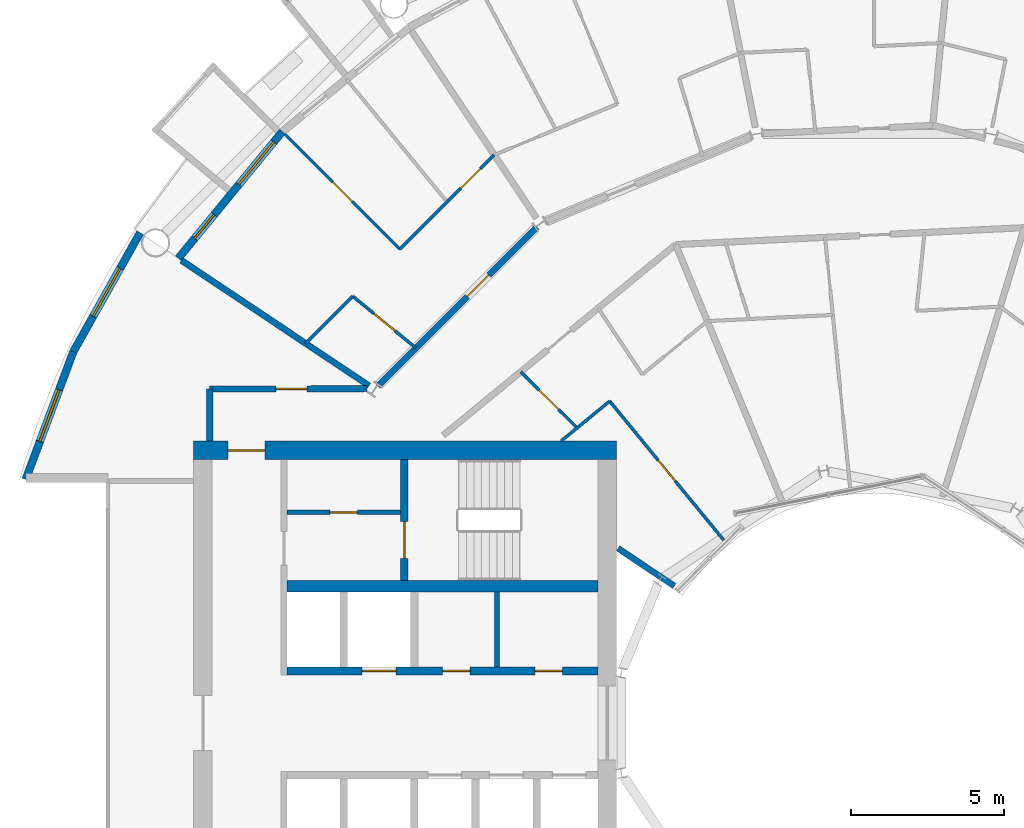
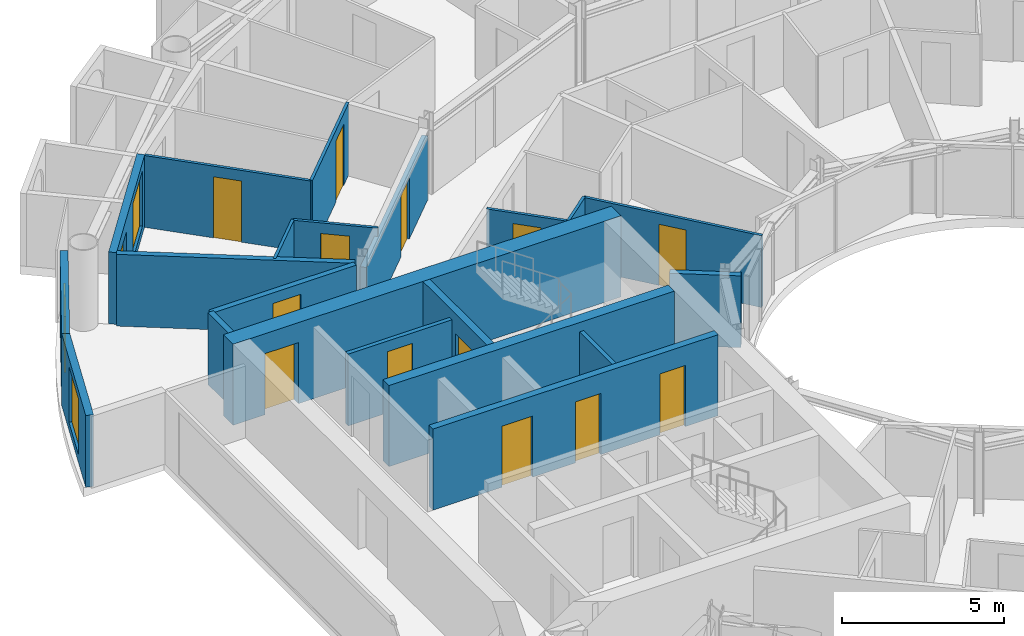
# One storey, part 19 of 27: 21 walls, 14 doors, 3 windows, 17 openings.
"""IFC4 building model written with IfcOpenShell, lengths in metres."""

import ifcopenshell
import ifcopenshell.guid

model = None  # the IFC model being written
_history = None  # IfcOwnerHistory: only IFC2X3 demands one
_inside = {}  # id of a spatial element -> (the spatial element, [elements in it])
_under = {}  # id of a project, library or spatial element -> (it, [spatial elements below it])
_declared = {}  # id of a project -> (the project, [libraries it declares])
_typed = {}  # id of a type object -> (the type object, [elements of that type])
_made_of = {}  # id of a material, layer set ... -> (it, [elements and type objects made of it])


def new_model(schema):
    """Start an empty IFC model of exactly this schema.

    Asked for "IFC4X3", IfcOpenShell would pick the latest addendum, in which some entities
    have other attributes; the version numbers below select the first issue.
    IFC2X3 requires an IfcOwnerHistory on every rooted entity: one is made here for all.
    """
    global model, _history
    if schema == "IFC4X3":
        model = ifcopenshell.file(schema_version=(4, 3, 0, 0))
    else:
        model = ifcopenshell.file(schema=schema)
    _inside.clear()
    _under.clear()
    _declared.clear()
    _typed.clear()
    _made_of.clear()
    _history = None
    if model.schema == "IFC2X3":
        org = make("IfcOrganization", Name="unknown")
        user = make(
            "IfcPersonAndOrganization",
            ThePerson=make("IfcPerson", FamilyName="unknown"),
            TheOrganization=org,
        )
        app = make(
            "IfcApplication",
            ApplicationDeveloper=org,
            Version="unknown",
            ApplicationFullName="unknown",
            ApplicationIdentifier="unknown",
        )
        _history = make(
            "IfcOwnerHistory",
            OwningUser=user,
            OwningApplication=app,
            ChangeAction="ADDED",
            CreationDate=0,
        )
    return model


def make(cls, **values):
    """One entity of the class cls with the attributes given. An attribute that is None is left unset."""
    return model.create_entity(
        cls, **{name: value for name, value in values.items() if value is not None}
    )


def rooted(cls, **values):
    """An entity with a GlobalId (a new one), such as an element, a storey or a relation."""
    return make(cls, GlobalId=ifcopenshell.guid.new(), OwnerHistory=_history, **values)


def si_unit(unit_type, name, prefix=None):
    """IfcSIUnit, for example si_unit("LENGTHUNIT", "METRE", prefix="MILLI")."""
    return make("IfcSIUnit", UnitType=unit_type, Prefix=prefix, Name=name)


def assignment(units):
    """IfcUnitAssignment: the units of a project."""
    return None if units is None else make("IfcUnitAssignment", Units=units)


def point(xyz):
    """IfcCartesianPoint."""
    return None if xyz is None else make("IfcCartesianPoint", Coordinates=xyz)


def direction(xyz):
    """IfcDirection."""
    return None if xyz is None else make("IfcDirection", DirectionRatios=xyz)


def frame(location, z_axis=None, x_axis=None):
    """IfcAxis2Placement3D, a coordinate frame: its origin and axes. An axis left out is left unset."""
    return make(
        "IfcAxis2Placement3D",
        Location=point(location),
        Axis=direction(z_axis),
        RefDirection=direction(x_axis),
    )


def frame_2d(location, x_axis=None):
    """IfcAxis2Placement2D, a coordinate frame in the plane: its origin and x axis."""
    return make(
        "IfcAxis2Placement2D", Location=point(location), RefDirection=direction(x_axis)
    )


def origin():
    """The frame at (0, 0, 0) with its axes left unset."""
    return frame((0.0, 0.0, 0.0))


def place(relative_to, where):
    """IfcLocalPlacement: puts the frame where relative to a parent placement (None: the world)."""
    return make(
        "IfcLocalPlacement", PlacementRelTo=relative_to, RelativePlacement=where
    )


def context(
    kind, dimensions, precision=None, world=None, true_north=None, identifier=None
):
    """IfcGeometricRepresentationContext, for example the 3D "Model" context."""
    return make(
        "IfcGeometricRepresentationContext",
        ContextIdentifier=identifier,
        ContextType=kind,
        CoordinateSpaceDimension=dimensions,
        Precision=precision,
        WorldCoordinateSystem=world,
        TrueNorth=true_north,
    )


def subcontext(parent, identifier, kind, view, scale=None):
    """IfcGeometricRepresentationSubContext, for example "Body" below "Model"."""
    return make(
        "IfcGeometricRepresentationSubContext",
        ContextIdentifier=identifier,
        ContextType=kind,
        ParentContext=parent,
        TargetScale=scale,
        TargetView=view,
    )


def project(units=None, contexts=None):
    """IfcProject with its units and contexts."""
    return rooted(
        "IfcProject",
        Name="project",
        RepresentationContexts=contexts,
        UnitsInContext=assignment(units),
    )


def spatial(cls, under=None, at=None, **own):
    """A site, building, storey or space (cls), placed at a placement, below another one or the project."""
    s = rooted(cls, ObjectPlacement=at, **own)
    if under is not None:
        _under.setdefault(under.id(), (under, []))[1].append(s)
    return s


def profile(cls, at=None, kind="AREA", **sizes):
    """A parametric profile (cls). Its sizes go by their IFC names, for example OverallWidth=200.0."""
    return make(cls, ProfileType=kind, Position=at, **sizes)


def rectangle(**sizes):
    """IfcRectangleProfileDef."""
    return profile("IfcRectangleProfileDef", **sizes)


def extrude(swept, where, along, depth):
    """IfcExtrudedAreaSolid: the profile swept, set in the frame where, extruded along a direction by depth."""
    return make(
        "IfcExtrudedAreaSolid",
        SweptArea=swept,
        Position=where,
        ExtrudedDirection=direction(along),
        Depth=depth,
    )


def shape(context_of_items, identifier, shape_type, items):
    """IfcShapeRepresentation: the items that make up one representation, for example the "Body"."""
    return make(
        "IfcShapeRepresentation",
        ContextOfItems=context_of_items,
        RepresentationIdentifier=identifier,
        RepresentationType=shape_type,
        Items=items,
    )


def material(Name=None, Category=None):
    """IfcMaterial."""
    return make("IfcMaterial", Name=Name, Category=Category)


def layer(
    of_material, thickness, ventilated=None, Name=None, Category=None, Priority=None
):
    """IfcMaterialLayer: one layer of a wall or slab, of a material (None: an air gap)."""
    return make(
        "IfcMaterialLayer",
        Material=of_material,
        LayerThickness=thickness,
        IsVentilated=ventilated,
        Name=Name,
        Category=Category,
        Priority=Priority,
    )


def layer_set(layers, Name=None):
    """IfcMaterialLayerSet."""
    return make("IfcMaterialLayerSet", MaterialLayers=layers, LayerSetName=Name)


def made_of(thing, what):
    """Note that an element or type object is made of a material, layer set ...; save() writes the relation."""
    if what is not None:
        _made_of.setdefault(what.id(), (what, []))[1].append(thing)
    return thing


def type_object(cls, material=None, **own):
    """A type object (cls), such as IfcWallType, which elements share."""
    return made_of(rooted(cls, **own), material)


def element(
    cls,
    number,
    at=None,
    inside=None,
    cuts=None,
    type_object=None,
    material=None,
    context=None,
    identifier="Body",
    shape_type=None,
    held_by="IfcProductDefinitionShape",
    body=None,
    shapes=None,
    **own,
):
    """One element of the class cls, such as IfcWall. Its Tag is "e" and its number.

    at: its placement. inside: the storey or other place that contains it. cuts: it is an
    opening in that element (IfcRelVoidsElement). A single representation is given by context,
    identifier, shape_type and body (its items); several are given by shapes. held_by: the class
    of the entity that holds the representations. save() writes the other relations.
    """
    e = rooted(cls, Tag="e%d" % number, ObjectPlacement=at, **own)
    if body is not None:
        shapes = [shape(context, identifier, shape_type, body)]
    if shapes is not None:
        e.Representation = make(held_by, Representations=shapes)
    if inside is not None:
        _inside.setdefault(inside.id(), (inside, []))[1].append(e)
    if cuts is not None:
        rooted(
            "IfcRelVoidsElement", RelatingBuildingElement=cuts, RelatedOpeningElement=e
        )
    if type_object is not None:
        _typed.setdefault(type_object.id(), (type_object, []))[1].append(e)
    return made_of(e, material)


def fill(opening, filler):
    """IfcRelFillsElement: the door or window that sits in an opening."""
    return rooted(
        "IfcRelFillsElement",
        RelatingOpeningElement=opening,
        RelatedBuildingElement=filler,
    )


def aggregate(whole, parts):
    """IfcRelAggregates: a whole, such as a stair, and the parts it consists of."""
    return rooted("IfcRelAggregates", RelatingObject=whole, RelatedObjects=parts)


def save(model, path):
    """Write the relations noted so far, then the file.

    IfcRelAggregates (storeys below a building ...), IfcRelContainedInSpatialStructure (elements
    in a storey), IfcRelDefinesByType, IfcRelAssociatesMaterial and IfcRelDeclares: one each for
    every whole, place, type object, material and project.
    """
    for whole, parts in _under.values():
        aggregate(whole, parts)
    for where, things in _inside.values():
        rooted(
            "IfcRelContainedInSpatialStructure",
            RelatedElements=things,
            RelatingStructure=where,
        )
    for kind, things in _typed.values():
        rooted("IfcRelDefinesByType", RelatedObjects=things, RelatingType=kind)
    for what, things in _made_of.values():
        rooted("IfcRelAssociatesMaterial", RelatedObjects=things, RelatingMaterial=what)
    for by, libraries in _declared.values():
        rooted("IfcRelDeclares", RelatingContext=by, RelatedDefinitions=libraries)
    model.write(path)


model = new_model("IFC4")

# Units and contexts
model_context = context("Model", 3, precision=1e-05, world=origin(), true_north=direction((0.0, 1.0)))
body_context = subcontext(model_context, "Body", "Model", "MODEL_VIEW")
ifc_project = project(units=[si_unit("LENGTHUNIT", "METRE"), si_unit("AREAUNIT", "SQUARE_METRE"), si_unit("VOLUMEUNIT", "CUBIC_METRE"), si_unit("PLANEANGLEUNIT", "RADIAN"), si_unit("MASSUNIT", "GRAM", prefix="KILO")], contexts=[model_context])

# Site, building, storey
site_placement = place(None, origin())
site = spatial("IfcSite", under=ifc_project, at=site_placement, CompositionType="ELEMENT")
building_placement = place(site_placement, origin())
building = spatial("IfcBuilding", under=site, at=building_placement, Name="Maasbend Ring Residences", CompositionType="ELEMENT")
storey_placement = place(building_placement, frame((0.0, 0.0, 114.699951171875)))
storey = spatial("IfcBuildingStorey", under=building, at=storey_placement, Name="L32", CompositionType="ELEMENT", Elevation=114.699951171875)

# Wall, openings, doors
ifc_material_1 = material(Name="Concrete C60/75", Category="concrete")
ifc_layer_1 = layer(ifc_material_1, 0.25)
ifc_layer_set_1 = layer_set([ifc_layer_1], Name="Concrete C60/75")
wall_type_1 = type_object("IfcWallType", Name="CORE WALL 250 C60/75", PredefinedType="SHEAR", material=ifc_layer_set_1)
wall_1_placement = place(storey_placement, frame((-19.14990234375, 1.699951171875, 0.0), z_axis=(0.0, 0.0, 1.0), x_axis=(1.0, 0.0, 0.0)))
wall_1 = element("IfcWall", 1, at=wall_1_placement, inside=storey, type_object=wall_type_1, Name="L32 core W wall SPS", PredefinedType="SHEAR", context=body_context, shape_type="SweptSolid", body=[
    extrude(rectangle(XDim=10.14990234375, YDim=0.25, at=frame_2d((5.074951171875, 0.0))), origin(), (0.0, 0.0, 1.0), 3.050048828125),
])
opening_1_placement = place(wall_1_placement, frame((2.449951171875, 0.0, 0.0)))
opening_1 = element("IfcOpeningElement", 2, at=opening_1_placement, cuts=wall_1, Name="Opening LD-W3205", PredefinedType="OPENING", context=body_context, shape_type="SweptSolid", body=[
    extrude(rectangle(XDim=1.10009765625, YDim=2.300048828125, at=frame_2d((0.550048828125, 1.14990234375))), frame((0.0, 0.135009765625, 0.0), z_axis=(0.0, -1.0, 0.0), x_axis=(1.0, 0.0, 0.0)), (0.0, 0.0, 1.0), 0.27001953125),
])
opening_2_placement = place(wall_1_placement, frame((8.08740234375, 0.0, 0.0)))
opening_2 = element("IfcOpeningElement", 3, at=opening_2_placement, cuts=wall_1, Name="Opening D-W3206", PredefinedType="OPENING", context=body_context, shape_type="SweptSolid", body=[
    extrude(rectangle(XDim=0.89990234375, YDim=2.300048828125, at=frame_2d((0.449951171875, 1.14990234375))), frame((0.0, 0.135009765625, 0.0), z_axis=(0.0, -1.0, 0.0), x_axis=(1.0, 0.0, 0.0)), (0.0, 0.0, 1.0), 0.27001953125),
])
opening_3_placement = place(wall_1_placement, frame((5.074951171875, 0.0, 0.0)))
opening_3 = element("IfcOpeningElement", 4, at=opening_3_placement, cuts=wall_1, Name="Opening D-W3207", PredefinedType="OPENING", context=body_context, shape_type="SweptSolid", body=[
    extrude(rectangle(XDim=0.89990234375, YDim=2.300048828125, at=frame_2d((0.449951171875, 1.14990234375))), frame((0.0, 0.135009765625, 0.0), z_axis=(0.0, -1.0, 0.0), x_axis=(1.0, 0.0, 0.0)), (0.0, 0.0, 1.0), 0.27001953125),
])
ifc_material_2 = material(Name="Stainless steel 316", Category="steel")
door_type_1 = type_object("IfcDoorType", Name="LANDING DOOR 1100 X 2300 FD60", OperationType="DOUBLE_DOOR_SLIDING", PredefinedType="DOOR", material=ifc_material_2)
door_1_placement = place(opening_1_placement, origin())
door_1 = element("IfcDoor", 5, at=door_1_placement, inside=storey, type_object=door_type_1, Name="Landing door SV-W L32", OperationType="DOUBLE_DOOR_SLIDING", OverallHeight=2.300048828125, OverallWidth=1.10009765625, PredefinedType="DOOR", context=body_context, shape_type="SweptSolid", body=[
    extrude(rectangle(XDim=1.10009765625, YDim=2.300048828125, at=frame_2d((0.550048828125, 1.14990234375))), frame((0.0, 0.02490234375, 0.0), z_axis=(0.0, -1.0, 0.0), x_axis=(1.0, 0.0, 0.0)), (0.0, 0.0, 1.0), 0.050048828125),
])
fill(opening_1, door_1)
ifc_material_3 = material(Name="Steel, powder coated", Category="steel")
door_type_2 = type_object("IfcDoorType", Name="ROOM DOOR 900 X 2300 FD30S", OperationType="NOTDEFINED", PredefinedType="DOOR", material=ifc_material_3)
door_2_placement = place(opening_2_placement, origin())
door_2 = element("IfcDoor", 6, at=door_2_placement, inside=storey, type_object=door_type_2, Name="Room door L32", OperationType="SINGLE_SWING_LEFT", OverallHeight=2.300048828125, OverallWidth=0.89990234375, PredefinedType="DOOR", context=body_context, shape_type="SweptSolid", body=[
    extrude(rectangle(XDim=0.89990234375, YDim=2.300048828125, at=frame_2d((0.449951171875, 1.14990234375))), frame((0.0, 0.02490234375, 0.0), z_axis=(0.0, -1.0, 0.0), x_axis=(1.0, 0.0, 0.0)), (0.0, 0.0, 1.0), 0.050048828125),
])
fill(opening_2, door_2)
door_3_placement = place(opening_3_placement, origin())
door_3 = element("IfcDoor", 7, at=door_3_placement, inside=storey, type_object=door_type_2, Name="Room door L32", OperationType="SINGLE_SWING_LEFT", OverallHeight=2.300048828125, OverallWidth=0.89990234375, PredefinedType="DOOR", context=body_context, shape_type="SweptSolid", body=[
    extrude(rectangle(XDim=0.89990234375, YDim=2.300048828125, at=frame_2d((0.449951171875, 1.14990234375))), frame((0.0, 0.02490234375, 0.0), z_axis=(0.0, -1.0, 0.0), x_axis=(1.0, 0.0, 0.0)), (0.0, 0.0, 1.0), 0.050048828125),
])
fill(opening_3, door_3)

# Wall, opening, door
wall_2_placement = place(storey_placement, frame((-15.324951171875, 8.60009765625, 0.0), z_axis=(0.0, 0.0, 1.0), x_axis=(0.0, -1.0, 0.0)))
wall_2 = element("IfcWall", 8, at=wall_2_placement, inside=storey, type_object=wall_type_1, Name="L32 core W wall STES", PredefinedType="SHEAR", context=body_context, shape_type="SweptSolid", body=[
    extrude(rectangle(XDim=3.9501953125, YDim=0.25, at=frame_2d((1.97509765625, 0.0))), origin(), (0.0, 0.0, 1.0), 3.050048828125),
])
opening_4_placement = place(wall_2_placement, frame((2.02490234375, 0.0, 0.0)))
opening_4 = element("IfcOpeningElement", 9, at=opening_4_placement, cuts=wall_2, Name="Opening D-W3210", PredefinedType="OPENING", context=body_context, shape_type="SweptSolid", body=[
    extrude(rectangle(XDim=1.199951171875, YDim=2.300048828125, at=frame_2d((0.60009765625, 1.14990234375))), frame((0.0, 0.135009765625, 0.0), z_axis=(0.0, -1.0, 0.0), x_axis=(1.0, 0.0, 0.0)), (0.0, 0.0, 1.0), 0.27001953125),
])
ifc_material_4 = material(Name="Steel, powder coated", Category="steel")
door_type_3 = type_object("IfcDoorType", Name="STAIR DOOR 1200 X 2300 FD60", OperationType="NOTDEFINED", PredefinedType="DOOR", material=ifc_material_4)
door_4_placement = place(opening_4_placement, origin())
door_4 = element("IfcDoor", 10, at=door_4_placement, inside=storey, type_object=door_type_3, Name="Stair door ST-W L32", OperationType="SINGLE_SWING_LEFT", OverallHeight=2.300048828125, OverallWidth=1.199951171875, PredefinedType="DOOR", context=body_context, shape_type="SweptSolid", body=[
    extrude(rectangle(XDim=1.199951171875, YDim=2.300048828125, at=frame_2d((0.60009765625, 1.14990234375))), frame((0.0, 0.02490234375, 0.0), z_axis=(0.0, -1.0, 0.0), x_axis=(1.0, 0.0, 0.0)), (0.0, 0.0, 1.0), 0.050048828125),
])
fill(opening_4, door_4)

# Wall
ifc_material_5 = material(Name="Concrete C60/75", Category="concrete")
ifc_layer_2 = layer(ifc_material_5, 0.375)
ifc_layer_set_2 = layer_set([ifc_layer_2], Name="Concrete C60/75")
wall_type_2 = type_object("IfcWallType", Name="CORE WALL 375 C60/75", PredefinedType="SHEAR", material=ifc_layer_set_2)
wall_3_placement = place(storey_placement, frame((-9.0, 4.46240234375, 0.0), z_axis=(0.0, 0.0, 1.0), x_axis=(-1.0, 0.0, 0.0)))
element("IfcWall", 11, at=wall_3_placement, inside=storey, type_object=wall_type_2, Name="L32 core W wall BS", PredefinedType="SHEAR", context=body_context, shape_type="SweptSolid", body=[
    extrude(rectangle(XDim=10.14990234375, YDim=0.375, at=frame_2d((5.074951171875, 0.0))), origin(), (0.0, 0.0, 1.0), 3.050048828125),
])

# Wall, opening, door
ifc_material_6 = material(Name="Concrete C60/75", Category="concrete")
ifc_layer_3 = layer(ifc_material_6, 0.60009765625)
ifc_layer_set_3 = layer_set([ifc_layer_3], Name="Concrete C60/75")
wall_type_3 = type_object("IfcWallType", Name="CORE WALL 600 C60/75", PredefinedType="SHEAR", material=ifc_layer_set_3)
wall_4_placement = place(storey_placement, frame((-8.39990234375, 8.89990234375, 0.0), z_axis=(0.0, 0.0, 1.0), x_axis=(-1.0, 0.0, 0.0)))
wall_4 = element("IfcWall", 12, at=wall_4_placement, inside=storey, type_object=wall_type_3, Name="L32 core W wall PS", PredefinedType="SHEAR", context=body_context, shape_type="SweptSolid", body=[
    extrude(rectangle(XDim=13.800048828125, YDim=0.60009765625, at=frame_2d((6.89990234375, 0.0))), origin(), (0.0, 0.0, 1.0), 3.050048828125),
])
opening_5_placement = place(wall_4_placement, frame((11.47509765625, 0.0, 0.0)))
opening_5 = element("IfcOpeningElement", 13, at=opening_5_placement, cuts=wall_4, Name="Opening D-W3214", PredefinedType="OPENING", context=body_context, shape_type="SweptSolid", body=[
    extrude(rectangle(XDim=1.199951171875, YDim=2.300048828125, at=frame_2d((0.60009765625, 1.14990234375))), frame((0.0, 0.31005859375, 0.0), z_axis=(0.0, -1.0, 0.0), x_axis=(1.0, 0.0, 0.0)), (0.0, 0.0, 1.0), 0.6201171875),
])
ifc_material_7 = material(Name="Steel, powder coated", Category="steel")
door_type_4 = type_object("IfcDoorType", Name="CORRIDOR DOOR 1200 X 2300 FD30S", OperationType="NOTDEFINED", PredefinedType="DOOR", material=ifc_material_7)
door_5_placement = place(opening_5_placement, origin())
door_5 = element("IfcDoor", 14, at=door_5_placement, inside=storey, type_object=door_type_4, Name="Corridor door L32", OperationType="SINGLE_SWING_LEFT", OverallHeight=2.300048828125, OverallWidth=1.199951171875, PredefinedType="DOOR", context=body_context, shape_type="SweptSolid", body=[
    extrude(rectangle(XDim=1.199951171875, YDim=2.300048828125, at=frame_2d((0.60009765625, 1.14990234375))), frame((0.0, 0.02490234375, 0.0), z_axis=(0.0, -1.0, 0.0), x_axis=(1.0, 0.0, 0.0)), (0.0, 0.0, 1.0), 0.050048828125),
])
fill(opening_5, door_5)

ifc_material_8 = material(Name="Concrete C30/37", Category="concrete")
ifc_layer_4 = layer(ifc_material_8, 0.199951171875)
ifc_layer_set_4 = layer_set([ifc_layer_4], Name="Concrete C30/37")
wall_type_4 = type_object("IfcWallType", Name="CORRIDOR WALL 200 CONCRETE", PredefinedType="PARTITIONING", material=ifc_layer_set_4)
wall_5_placement = place(storey_placement, frame((-21.675048828125, 10.89990234375, 0.0), z_axis=(0.0, 0.0, 1.0), x_axis=(0.999997173357, 0.002377662213, 0.0)))
wall_5 = element("IfcWall", 15, at=wall_5_placement, inside=storey, type_object=wall_type_4, Name="U-L32-w088", PredefinedType="PARTITIONING", context=body_context, shape_type="SweptSolid", body=[
    extrude(rectangle(XDim=5.134033203125, YDim=0.199951171875, at=frame_2d((2.56689453125, 0.0))), origin(), (0.0, 0.0, 1.0), 2.699951171875),
])
opening_6_placement = place(wall_5_placement, frame((2.1708984375, 0.0, 0.0)))
opening_6 = element("IfcOpeningElement", 16, at=opening_6_placement, cuts=wall_5, Name="Opening D-3268", PredefinedType="OPENING", context=body_context, shape_type="SweptSolid", body=[
    extrude(rectangle(XDim=1.0, YDim=2.300048828125, at=frame_2d((0.5, 1.14990234375))), frame((0.0, 0.10986328125, 0.0), z_axis=(0.0, -1.0, 0.0), x_axis=(1.0, 0.0, 0.0)), (0.0, 0.0, 1.0), 0.219970703125),
])
ifc_material_9 = material(Name="Timber, painted", Category="wood")
door_type_5 = type_object("IfcDoorType", Name="ROOM DOOR 1000 X 2300", OperationType="NOTDEFINED", PredefinedType="DOOR", material=ifc_material_9)
door_6_placement = place(opening_6_placement, origin())
door_6 = element("IfcDoor", 17, at=door_6_placement, inside=storey, type_object=door_type_5, Name="D-3268", OperationType="SINGLE_SWING_RIGHT", OverallHeight=2.300048828125, OverallWidth=1.0, PredefinedType="DOOR", context=body_context, shape_type="SweptSolid", body=[
    extrude(rectangle(XDim=1.0, YDim=2.300048828125, at=frame_2d((0.5, 1.14990234375))), frame((0.0, 0.02490234375, 0.0), z_axis=(0.0, -1.0, 0.0), x_axis=(1.0, 0.0, 0.0)), (0.0, 0.0, 1.0), 0.050048828125),
])
fill(opening_6, door_6)

wall_6_placement = place(storey_placement, frame((-16.18603515625, 11.0, 0.0), z_axis=(0.0, 0.0, 1.0), x_axis=(0.707106781187, 0.707106781187, 0.0)))
wall_6 = element("IfcWall", 18, at=wall_6_placement, inside=storey, type_object=wall_type_4, Name="U-L32-w100", PredefinedType="PARTITIONING", context=body_context, shape_type="SweptSolid", body=[
    extrude(rectangle(XDim=7.334228515625, YDim=0.199951171875, at=frame_2d((3.6669921875, 0.0))), origin(), (0.0, 0.0, 1.0), 2.39013671875),
])
opening_7_placement = place(wall_6_placement, frame((4.123046875, 0.0, 0.0)))
opening_7 = element("IfcOpeningElement", 19, at=opening_7_placement, cuts=wall_6, Name="Opening D-3217", PredefinedType="OPENING", context=body_context, shape_type="SweptSolid", body=[
    extrude(rectangle(XDim=1.0, YDim=2.300048828125, at=frame_2d((0.5, 1.14990234375))), frame((0.0, 0.10986328125, 0.0), z_axis=(0.0, -1.0, 0.0), x_axis=(1.0, 0.0, 0.0)), (0.0, 0.0, 1.0), 0.219970703125),
])
ifc_material_10 = material(Name="Timber, fire-rated, painted", Category="wood")
door_type_6 = type_object("IfcDoorType", Name="FLAT ENTRANCE DOOR 1000 X 2300 FIRE-RATED", OperationType="NOTDEFINED", PredefinedType="DOOR", material=ifc_material_10)
door_7_placement = place(opening_7_placement, origin())
door_7 = element("IfcDoor", 20, at=door_7_placement, inside=storey, type_object=door_type_6, Name="D-3217", OperationType="SINGLE_SWING_RIGHT", OverallHeight=2.300048828125, OverallWidth=1.0, PredefinedType="DOOR", context=body_context, shape_type="SweptSolid", body=[
    extrude(rectangle(XDim=1.0, YDim=2.300048828125, at=frame_2d((0.5, 1.14990234375))), frame((0.0, 0.02490234375, 0.0), z_axis=(0.0, -1.0, 0.0), x_axis=(1.0, 0.0, 0.0)), (0.0, 0.0, 1.0), 0.050048828125),
])
fill(opening_7, door_7)

# Wall
wall_7_placement = place(storey_placement, frame((-21.675048828125, 9.199951171875, 0.0), z_axis=(0.0, 0.0, 1.0), x_axis=(0.0, 1.0, 0.0)))
element("IfcWall", 21, at=wall_7_placement, inside=storey, type_object=wall_type_4, Name="U-L32-w108", PredefinedType="PARTITIONING", context=body_context, shape_type="SweptSolid", body=[
    extrude(rectangle(XDim=1.699951171875, YDim=0.199951171875, at=frame_2d((0.85009765625, 0.0))), origin(), (0.0, 0.0, 1.0), 2.699951171875),
])

# Wall, openings, door, window
ifc_material_11 = material(Name="Aluminium clad insulated panel", Category="aluminium")
ifc_layer_5 = layer(ifc_material_11, 0.25)
ifc_layer_set_5 = layer_set([ifc_layer_5], Name="EW-GL")
wall_type_5 = type_object("IfcWallType", Name="EW-GL", PredefinedType="SOLIDWALL", material=ifc_layer_set_5)
wall_8_placement = place(storey_placement, frame((-19.303955078125, 19.303955078125, 0.0), z_axis=(0.0, 0.0, 1.0), x_axis=(-0.634382322723, -0.773019449054, 0.0)))
wall_8 = element("IfcWall", 22, at=wall_8_placement, inside=storey, type_object=wall_type_5, Name="External wall N10", PredefinedType="SOLIDWALL", context=body_context, shape_type="SweptSolid", body=[
    extrude(rectangle(XDim=5.351806640625, YDim=0.25, at=frame_2d((2.67578125, 0.0))), origin(), (0.0, 0.0, 1.0), 2.699951171875),
])
opening_8_placement = place(wall_8_placement, frame((0.441162109375, 0.0, 0.300048828125)))
opening_8 = element("IfcOpeningElement", 23, at=opening_8_placement, cuts=wall_8, Name="Opening W-BX", PredefinedType="OPENING", context=body_context, shape_type="SweptSolid", body=[
    extrude(rectangle(XDim=1.800048828125, YDim=2.10009765625, at=frame_2d((0.89990234375, 1.050048828125))), frame((0.0, 0.135009765625, 0.0), z_axis=(0.0, -1.0, 0.0), x_axis=(1.0, 0.0, 0.0)), (0.0, 0.0, 1.0), 0.27001953125),
])
opening_9_placement = place(wall_8_placement, frame((3.510498046875, 0.0, 0.0)))
opening_9 = element("IfcOpeningElement", 24, at=opening_9_placement, cuts=wall_8, Name="Opening D-LG", PredefinedType="OPENING", context=body_context, shape_type="SweptSolid", body=[
    extrude(rectangle(XDim=1.0, YDim=2.199951171875, at=frame_2d((0.5, 1.10009765625))), frame((0.0, 0.135009765625, 0.0), z_axis=(0.0, -1.0, 0.0), x_axis=(1.0, 0.0, 0.0)), (0.0, 0.0, 1.0), 0.27001953125),
])
ifc_material_12 = material(Name="Aluminium and clear glass", Category="aluminium")
door_type_7 = type_object("IfcDoorType", Name="D-LG", OperationType="SINGLE_SWING_LEFT", PredefinedType="DOOR", material=ifc_material_12)
door_8_placement = place(opening_9_placement, origin())
door_8 = element("IfcDoor", 25, at=door_8_placement, inside=storey, type_object=door_type_7, Name="Loggia door N20", OperationType="SINGLE_SWING_LEFT", OverallHeight=2.199951171875, OverallWidth=1.0, PredefinedType="DOOR", context=body_context, shape_type="SweptSolid", body=[
    extrude(rectangle(XDim=1.0, YDim=2.199951171875, at=frame_2d((0.5, 1.10009765625))), frame((0.0, 0.02490234375, 0.0), z_axis=(0.0, -1.0, 0.0), x_axis=(1.0, 0.0, 0.0)), (0.0, 0.0, 1.0), 0.050048828125),
])
fill(opening_9, door_8)
ifc_material_13 = material(Name="Aluminium and clear glass", Category="aluminium")
window_type = type_object("IfcWindowType", Name="W-BX", PartitioningType="DOUBLE_PANEL_VERTICAL", PredefinedType="WINDOW", material=ifc_material_13)
window_1_placement = place(opening_8_placement, origin())
window_1 = element("IfcWindow", 26, at=window_1_placement, inside=storey, type_object=window_type, Name="Window N19 room to box", OverallHeight=2.10009765625, OverallWidth=1.800048828125, PartitioningType="SINGLE_PANEL", PredefinedType="WINDOW", context=body_context, shape_type="SweptSolid", body=[
    extrude(rectangle(XDim=1.800048828125, YDim=2.10009765625, at=frame_2d((0.89990234375, 1.050048828125))), frame((0.0, 0.030029296875, 0.0), z_axis=(0.0, -1.0, 0.0), x_axis=(1.0, 0.0, 0.0)), (0.0, 0.0, 1.0), 0.06005859375),
])
fill(opening_8, window_1)

# Wall, opening, window
ifc_material_14 = material(Name="Aluminium clad insulated panel", Category="aluminium")
ifc_layer_6 = layer(ifc_material_14, 0.25)
ifc_layer_set_6 = layer_set([ifc_layer_6], Name="EW-HORN")
wall_type_6 = type_object("IfcWallType", Name="EW-HORN", PredefinedType="SOLIDWALL", material=ifc_layer_set_6)
wall_9_placement = place(storey_placement, frame((-23.946044921875, 16.0, 0.0), z_axis=(0.0, 0.0, 1.0), x_axis=(-0.489696356642, -0.871893042919, 0.0)))
wall_9 = element("IfcWall", 27, at=wall_9_placement, inside=storey, type_object=wall_type_6, Name="Horn wall 4.1", PredefinedType="SOLIDWALL", context=body_context, shape_type="SweptSolid", body=[
    extrude(rectangle(XDim=4.45361328125, YDim=0.25, at=frame_2d((2.226806640625, 0.0))), origin(), (0.0, 0.0, 1.0), 2.699951171875),
])
opening_10_placement = place(wall_9_placement, frame((1.32666015625, 0.0, 0.300048828125)))
opening_10 = element("IfcOpeningElement", 28, at=opening_10_placement, cuts=wall_9, Name="Opening W-BX", PredefinedType="OPENING", context=body_context, shape_type="SweptSolid", body=[
    extrude(rectangle(XDim=1.800048828125, YDim=2.10009765625, at=frame_2d((0.89990234375, 1.050048828125))), frame((0.0, 0.135009765625, 0.0), z_axis=(0.0, -1.0, 0.0), x_axis=(1.0, 0.0, 0.0)), (0.0, 0.0, 1.0), 0.27001953125),
])
window_2_placement = place(opening_10_placement, origin())
window_2 = element("IfcWindow", 29, at=window_2_placement, inside=storey, type_object=window_type, Name="Horn window 4.1", OverallHeight=2.10009765625, OverallWidth=1.800048828125, PartitioningType="SINGLE_PANEL", PredefinedType="WINDOW", context=body_context, shape_type="SweptSolid", body=[
    extrude(rectangle(XDim=1.800048828125, YDim=2.10009765625, at=frame_2d((0.89990234375, 1.050048828125))), frame((0.0, 0.030029296875, 0.0), z_axis=(0.0, -1.0, 0.0), x_axis=(1.0, 0.0, 0.0)), (0.0, 0.0, 1.0), 0.06005859375),
])
fill(opening_10, window_2)

wall_10_placement = place(storey_placement, frame((-26.126953125, 12.116943359375, 0.0), z_axis=(0.0, 0.0, 1.0), x_axis=(-0.349247811493, -0.937030397675, 0.0)))
wall_10 = element("IfcWall", 30, at=wall_10_placement, inside=storey, type_object=wall_type_6, Name="Horn wall 4.2", PredefinedType="SOLIDWALL", context=body_context, shape_type="SweptSolid", body=[
    extrude(rectangle(XDim=4.4521484375, YDim=0.25, at=frame_2d((2.22607421875, 0.0))), origin(), (0.0, 0.0, 1.0), 2.699951171875),
])
opening_11_placement = place(wall_10_placement, frame((1.32666015625, 0.0, 0.300048828125)))
opening_11 = element("IfcOpeningElement", 31, at=opening_11_placement, cuts=wall_10, Name="Opening W-BX", PredefinedType="OPENING", context=body_context, shape_type="SweptSolid", body=[
    extrude(rectangle(XDim=1.800048828125, YDim=2.10009765625, at=frame_2d((0.89990234375, 1.050048828125))), frame((0.0, 0.135009765625, 0.0), z_axis=(0.0, -1.0, 0.0), x_axis=(1.0, 0.0, 0.0)), (0.0, 0.0, 1.0), 0.27001953125),
])
window_3_placement = place(opening_11_placement, origin())
window_3 = element("IfcWindow", 32, at=window_3_placement, inside=storey, type_object=window_type, Name="Horn window 4.2", OverallHeight=2.10009765625, OverallWidth=1.800048828125, PartitioningType="SINGLE_PANEL", PredefinedType="WINDOW", context=body_context, shape_type="SweptSolid", body=[
    extrude(rectangle(XDim=1.800048828125, YDim=2.10009765625, at=frame_2d((0.89990234375, 1.050048828125))), frame((0.0, 0.030029296875, 0.0), z_axis=(0.0, -1.0, 0.0), x_axis=(1.0, 0.0, 0.0)), (0.0, 0.0, 1.0), 0.06005859375),
])
fill(opening_11, window_3)

# Wall, opening, door
ifc_material_15 = material(Name="Gypsum board on steel studs", Category="steel")
ifc_layer_7 = layer(ifc_material_15, 0.10009765625)
ifc_layer_set_7 = layer_set([ifc_layer_7], Name="PARTITION 100 GYPSUM")
wall_type_7 = type_object("IfcWallType", Name="PARTITION 100 GYPSUM", PredefinedType="PARTITIONING", material=ifc_layer_set_7)
wall_11_placement = place(storey_placement, frame((-19.216064453125, 19.216064453125, 0.0), z_axis=(0.0, 0.0, 1.0), x_axis=(0.707106781187, -0.707106781187, 0.0)))
wall_11 = element("IfcWall", 33, at=wall_11_placement, inside=storey, type_object=wall_type_7, Name="U-L32-w031", PredefinedType="PARTITIONING", context=body_context, shape_type="SweptSolid", body=[
    extrude(rectangle(XDim=5.3046875, YDim=0.10009765625, at=frame_2d((2.65234375, 0.0))), origin(), (0.0, 0.0, 1.0), 2.699951171875),
])
opening_12_placement = place(wall_11_placement, frame((2.201904296875, 0.0, 0.0)))
opening_12 = element("IfcOpeningElement", 34, at=opening_12_placement, cuts=wall_11, Name="Opening D-3219", PredefinedType="OPENING", context=body_context, shape_type="SweptSolid", body=[
    extrude(rectangle(XDim=0.89990234375, YDim=2.300048828125, at=frame_2d((0.449951171875, 1.14990234375))), frame((0.0, 0.06005859375, 0.0), z_axis=(0.0, -1.0, 0.0), x_axis=(1.0, 0.0, 0.0)), (0.0, 0.0, 1.0), 0.1201171875),
])
ifc_material_16 = material(Name="Timber, painted", Category="wood")
door_type_8 = type_object("IfcDoorType", Name="INTERNAL DOOR 900 X 2300", OperationType="NOTDEFINED", PredefinedType="DOOR", material=ifc_material_16)
door_9_placement = place(opening_12_placement, origin())
door_9 = element("IfcDoor", 35, at=door_9_placement, inside=storey, type_object=door_type_8, Name="D-3219", OperationType="SINGLE_SWING_LEFT", OverallHeight=2.300048828125, OverallWidth=0.89990234375, PredefinedType="DOOR", context=body_context, shape_type="SweptSolid", body=[
    extrude(rectangle(XDim=0.89990234375, YDim=2.300048828125, at=frame_2d((0.449951171875, 1.14990234375))), frame((0.0, 0.02490234375, 0.0), z_axis=(0.0, -1.0, 0.0), x_axis=(1.0, 0.0, 0.0)), (0.0, 0.0, 1.0), 0.050048828125),
])
fill(opening_12, door_9)

wall_12_placement = place(storey_placement, frame((-17.00390625, 13.927001953125, 0.0), z_axis=(0.0, 0.0, 1.0), x_axis=(0.77367517848, -0.633582447834, 0.0)))
wall_12 = element("IfcWall", 36, at=wall_12_placement, inside=storey, type_object=wall_type_7, Name="U-L32-w034", PredefinedType="PARTITIONING", context=body_context, shape_type="SweptSolid", body=[
    extrude(rectangle(XDim=2.6611328125, YDim=0.10009765625, at=frame_2d((1.33056640625, 0.0))), origin(), (0.0, 0.0, 1.0), 2.699951171875),
])
opening_13_placement = place(wall_12_placement, frame((0.881103515625, 0.0, 0.0)))
opening_13 = element("IfcOpeningElement", 37, at=opening_13_placement, cuts=wall_12, Name="Opening D-3218", PredefinedType="OPENING", context=body_context, shape_type="SweptSolid", body=[
    extrude(rectangle(XDim=0.89990234375, YDim=2.300048828125, at=frame_2d((0.449951171875, 1.14990234375))), frame((0.0, 0.06005859375, 0.0), z_axis=(0.0, -1.0, 0.0), x_axis=(1.0, 0.0, 0.0)), (0.0, 0.0, 1.0), 0.1201171875),
])
door_10_placement = place(opening_13_placement, origin())
door_10 = element("IfcDoor", 38, at=door_10_placement, inside=storey, type_object=door_type_8, Name="D-3218", OperationType="SINGLE_SWING_RIGHT", OverallHeight=2.300048828125, OverallWidth=0.89990234375, PredefinedType="DOOR", context=body_context, shape_type="SweptSolid", body=[
    extrude(rectangle(XDim=0.89990234375, YDim=2.300048828125, at=frame_2d((0.449951171875, 1.14990234375))), frame((0.0, 0.02490234375, 0.0), z_axis=(0.0, -1.0, 0.0), x_axis=(1.0, 0.0, 0.0)), (0.0, 0.0, 1.0), 0.050048828125),
])
fill(opening_13, door_10)

wall_13_placement = place(storey_placement, frame((-11.52392578125, 11.464111328125, 0.0), z_axis=(0.0, 0.0, 1.0), x_axis=(0.708796844581, -0.705412668665, 0.0)))
wall_13 = element("IfcWall", 39, at=wall_13_placement, inside=storey, type_object=wall_type_7, Name="U-L32-w041", PredefinedType="PARTITIONING", context=body_context, shape_type="SweptSolid", body=[
    extrude(rectangle(XDim=2.59716796875, YDim=0.10009765625, at=frame_2d((1.298583984375, 0.0))), origin(), (0.0, 0.0, 1.0), 2.699951171875),
])
opening_14_placement = place(wall_13_placement, frame((0.84912109375, 0.0, 0.0)))
opening_14 = element("IfcOpeningElement", 40, at=opening_14_placement, cuts=wall_13, Name="Opening D-3232", PredefinedType="OPENING", context=body_context, shape_type="SweptSolid", body=[
    extrude(rectangle(XDim=0.89990234375, YDim=2.300048828125, at=frame_2d((0.449951171875, 1.14990234375))), frame((0.0, 0.06005859375, 0.0), z_axis=(0.0, -1.0, 0.0), x_axis=(1.0, 0.0, 0.0)), (0.0, 0.0, 1.0), 0.1201171875),
])
door_11_placement = place(opening_14_placement, origin())
door_11 = element("IfcDoor", 41, at=door_11_placement, inside=storey, type_object=door_type_8, Name="D-3232", OperationType="SINGLE_SWING_RIGHT", OverallHeight=2.300048828125, OverallWidth=0.89990234375, PredefinedType="DOOR", context=body_context, shape_type="SweptSolid", body=[
    extrude(rectangle(XDim=0.89990234375, YDim=2.300048828125, at=frame_2d((0.449951171875, 1.14990234375))), frame((0.0, 0.02490234375, 0.0), z_axis=(0.0, -1.0, 0.0), x_axis=(1.0, 0.0, 0.0)), (0.0, 0.0, 1.0), 0.050048828125),
])
fill(opening_14, door_11)

wall_14_placement = place(storey_placement, frame((-8.6201171875, 10.50390625, 0.0), z_axis=(0.0, 0.0, 1.0), x_axis=(0.634358693064, -0.773038840249, 0.0)))
wall_14 = element("IfcWall", 42, at=wall_14_placement, inside=storey, type_object=wall_type_7, Name="U-L32-w047", PredefinedType="PARTITIONING", context=body_context, shape_type="SweptSolid", body=[
    extrude(rectangle(XDim=5.86767578125, YDim=0.10009765625, at=frame_2d((2.933837890625, 0.0))), origin(), (0.0, 0.0, 1.0), 2.699951171875),
])
opening_15_placement = place(wall_14_placement, frame((2.48388671875, 0.0, 0.0)))
opening_15 = element("IfcOpeningElement", 43, at=opening_15_placement, cuts=wall_14, Name="Opening D-3233", PredefinedType="OPENING", context=body_context, shape_type="SweptSolid", body=[
    extrude(rectangle(XDim=0.89990234375, YDim=2.300048828125, at=frame_2d((0.449951171875, 1.14990234375))), frame((0.0, 0.06005859375, 0.0), z_axis=(0.0, -1.0, 0.0), x_axis=(1.0, 0.0, 0.0)), (0.0, 0.0, 1.0), 0.1201171875),
])
door_12_placement = place(opening_15_placement, origin())
door_12 = element("IfcDoor", 44, at=door_12_placement, inside=storey, type_object=door_type_8, Name="D-3233", OperationType="SINGLE_SWING_RIGHT", OverallHeight=2.300048828125, OverallWidth=0.89990234375, PredefinedType="DOOR", context=body_context, shape_type="SweptSolid", body=[
    extrude(rectangle(XDim=0.89990234375, YDim=2.300048828125, at=frame_2d((0.449951171875, 1.14990234375))), frame((0.0, 0.02490234375, 0.0), z_axis=(0.0, -1.0, 0.0), x_axis=(1.0, 0.0, 0.0)), (0.0, 0.0, 1.0), 0.050048828125),
])
fill(opening_15, door_12)

# Walls
wall_15_placement = place(storey_placement, frame((-10.20703125, 9.201904296875, 0.0), z_axis=(0.0, 0.0, 1.0), x_axis=(0.772998703631, 0.634407600983, 0.0)))
element("IfcWall", 45, at=wall_15_placement, inside=storey, type_object=wall_type_7, Name="U-L32-w094", PredefinedType="PARTITIONING", context=body_context, shape_type="SweptSolid", body=[
    extrude(rectangle(XDim=2.0556640625, YDim=0.10009765625, at=frame_2d((1.02783203125, 0.0))), origin(), (0.0, 0.0, 1.0), 2.699951171875),
])
wall_16_placement = place(storey_placement, frame((-18.5419921875, 12.388916015625, 0.0), z_axis=(0.0, 0.0, 1.0), x_axis=(0.707106781187, 0.707106781187, 0.0)))
element("IfcWall", 46, at=wall_16_placement, inside=storey, type_object=wall_type_7, Name="U-L32-w109", PredefinedType="PARTITIONING", context=body_context, shape_type="SweptSolid", body=[
    extrude(rectangle(XDim=2.17529296875, YDim=0.10009765625, at=frame_2d((1.087646484375, 0.0))), origin(), (0.0, 0.0, 1.0), 2.699951171875),
])

# Wall, opening, door
wall_17_placement = place(storey_placement, frame((-15.465087890625, 15.465087890625, 0.0), z_axis=(0.0, 0.0, 1.0), x_axis=(0.707022606819, 0.707190945535, 0.0)))
wall_17 = element("IfcWall", 47, at=wall_17_placement, inside=storey, type_object=wall_type_7, Name="U-L32-w110", PredefinedType="PARTITIONING", context=body_context, shape_type="SweptSolid", body=[
    extrude(rectangle(XDim=4.350830078125, YDim=0.10009765625, at=frame_2d((2.17529296875, 0.0))), origin(), (0.0, 0.0, 1.0), 2.699951171875),
])
opening_16_placement = place(wall_17_placement, frame((2.81298828125, 0.0, 0.0)))
opening_16 = element("IfcOpeningElement", 48, at=opening_16_placement, cuts=wall_17, Name="Opening D-3220", PredefinedType="OPENING", context=body_context, shape_type="SweptSolid", body=[
    extrude(rectangle(XDim=0.89990234375, YDim=2.300048828125, at=frame_2d((0.449951171875, 1.14990234375))), frame((0.0, 0.06005859375, 0.0), z_axis=(0.0, -1.0, 0.0), x_axis=(1.0, 0.0, 0.0)), (0.0, 0.0, 1.0), 0.1201171875),
])
door_13_placement = place(opening_16_placement, origin())
door_13 = element("IfcDoor", 49, at=door_13_placement, inside=storey, type_object=door_type_8, Name="D-3220", OperationType="SINGLE_SWING_RIGHT", OverallHeight=2.300048828125, OverallWidth=0.89990234375, PredefinedType="DOOR", context=body_context, shape_type="SweptSolid", body=[
    extrude(rectangle(XDim=0.89990234375, YDim=2.300048828125, at=frame_2d((0.449951171875, 1.14990234375))), frame((0.0, 0.02490234375, 0.0), z_axis=(0.0, -1.0, 0.0), x_axis=(1.0, 0.0, 0.0)), (0.0, 0.0, 1.0), 0.050048828125),
])
fill(opening_16, door_13)

# Wall
ifc_material_17 = material(Name="Gypsum board on steel studs", Category="steel")
ifc_layer_8 = layer(ifc_material_17, 0.14990234375)
ifc_layer_set_8 = layer_set([ifc_layer_8], Name="PARTITION 150 EI 60")
wall_type_8 = type_object("IfcWallType", Name="PARTITION 150 EI 60", PredefinedType="PARTITIONING", material=ifc_layer_set_8)
wall_18_placement = place(storey_placement, frame((-12.300048828125, 1.824951171875, 0.0), z_axis=(0.0, 0.0, 1.0), x_axis=(0.0, 1.0, 0.0)))
element("IfcWall", 50, at=wall_18_placement, inside=storey, type_object=wall_type_8, Name="L32 core W wall PRS1230", PredefinedType="PARTITIONING", context=body_context, shape_type="SweptSolid", body=[
    extrude(rectangle(XDim=2.449951171875, YDim=0.14990234375, at=frame_2d((1.22509765625, 0.0))), origin(), (0.0, 0.0, 1.0), 2.699951171875),
])

# Wall, opening, door
wall_19_placement = place(storey_placement, frame((-15.449951171875, 6.875, 0.0), z_axis=(0.0, 0.0, 1.0), x_axis=(-1.0, 0.0, 0.0)))
wall_19 = element("IfcWall", 51, at=wall_19_placement, inside=storey, type_object=wall_type_8, Name="L32 core W wall RHS", PredefinedType="PARTITIONING", context=body_context, shape_type="SweptSolid", body=[
    extrude(rectangle(XDim=3.699951171875, YDim=0.14990234375, at=frame_2d((1.85009765625, 0.0))), origin(), (0.0, 0.0, 1.0), 2.699951171875),
])
opening_17_placement = place(wall_19_placement, frame((1.39990234375, 0.0, 0.0)))
opening_17 = element("IfcOpeningElement", 52, at=opening_17_placement, cuts=wall_19, Name="Opening D-W3208", PredefinedType="OPENING", context=body_context, shape_type="SweptSolid", body=[
    extrude(rectangle(XDim=0.89990234375, YDim=2.300048828125, at=frame_2d((0.449951171875, 1.14990234375))), frame((0.0, 0.0849609375, 0.0), z_axis=(0.0, -1.0, 0.0), x_axis=(1.0, 0.0, 0.0)), (0.0, 0.0, 1.0), 0.169921875),
])
ifc_material_18 = material(Name="Steel, powder coated", Category="steel")
door_type_9 = type_object("IfcDoorType", Name="RISER DOOR 900 X 2300 FD60", OperationType="NOTDEFINED", PredefinedType="DOOR", material=ifc_material_18)
door_14_placement = place(opening_17_placement, origin())
door_14 = element("IfcDoor", 53, at=door_14_placement, inside=storey, type_object=door_type_9, Name="Riser door L32", OperationType="SINGLE_SWING_LEFT", OverallHeight=2.300048828125, OverallWidth=0.89990234375, PredefinedType="DOOR", context=body_context, shape_type="SweptSolid", body=[
    extrude(rectangle(XDim=0.89990234375, YDim=2.300048828125, at=frame_2d((0.449951171875, 1.14990234375))), frame((0.0, 0.02490234375, 0.0), z_axis=(0.0, -1.0, 0.0), x_axis=(1.0, 0.0, 0.0)), (0.0, 0.0, 1.0), 0.050048828125),
])
fill(opening_17, door_14)

# Walls
ifc_material_19 = material(Name="Concrete C30/37", Category="concrete")
ifc_layer_9 = layer(ifc_material_19, 0.199951171875)
ifc_layer_set_9 = layer_set([ifc_layer_9], Name="Concrete C30/37")
wall_type_9 = type_object("IfcWallType", Name="PARTY WALL 200 CONCRETE", PredefinedType="PARTITIONING", material=ifc_layer_set_9)
wall_20_placement = place(storey_placement, frame((-22.594970703125, 15.097900390625, 0.0), z_axis=(0.0, 0.0, 1.0), x_axis=(0.831406593008, -0.555664536482, 0.0)))
element("IfcWall", 54, at=wall_20_placement, inside=storey, type_object=wall_type_9, Name="U-L32-w030", PredefinedType="PARTITIONING", context=body_context, shape_type="SweptSolid", body=[
    extrude(rectangle(XDim=7.3583984375, YDim=0.199951171875, at=frame_2d((3.67919921875, 0.0))), origin(), (0.0, 0.0, 1.0), 2.699951171875),
])
wall_21_placement = place(storey_placement, frame((-6.512939453125, 4.471923828125, 0.0), z_axis=(0.0, 0.0, 1.0), x_axis=(-0.831333375071, 0.555774072347, 0.0)))
element("IfcWall", 55, at=wall_21_placement, inside=storey, type_object=wall_type_9, Name="U-L32-w086", PredefinedType="PARTITIONING", context=body_context, shape_type="SweptSolid", body=[
    extrude(rectangle(XDim=2.20263671875, YDim=0.199951171875, at=frame_2d((1.101318359375, 0.0))), origin(), (0.0, 0.0, 1.0), 2.699951171875),
])

save(model, "model.ifc")
